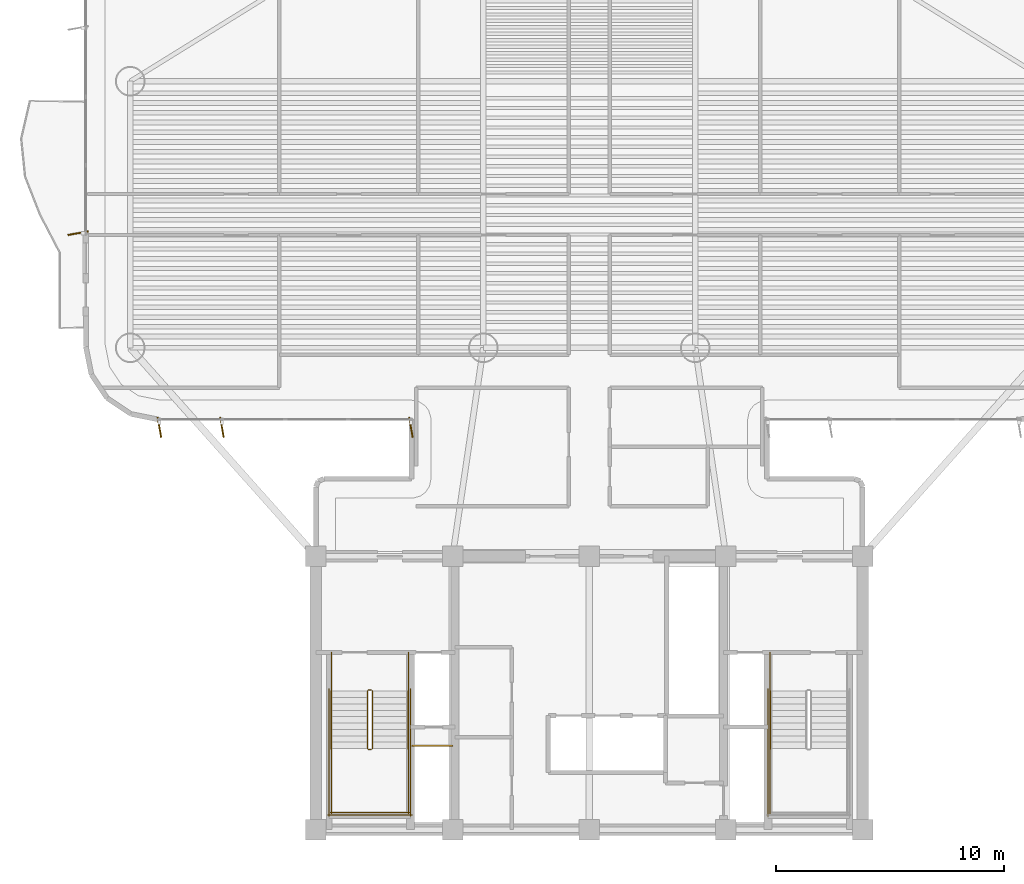
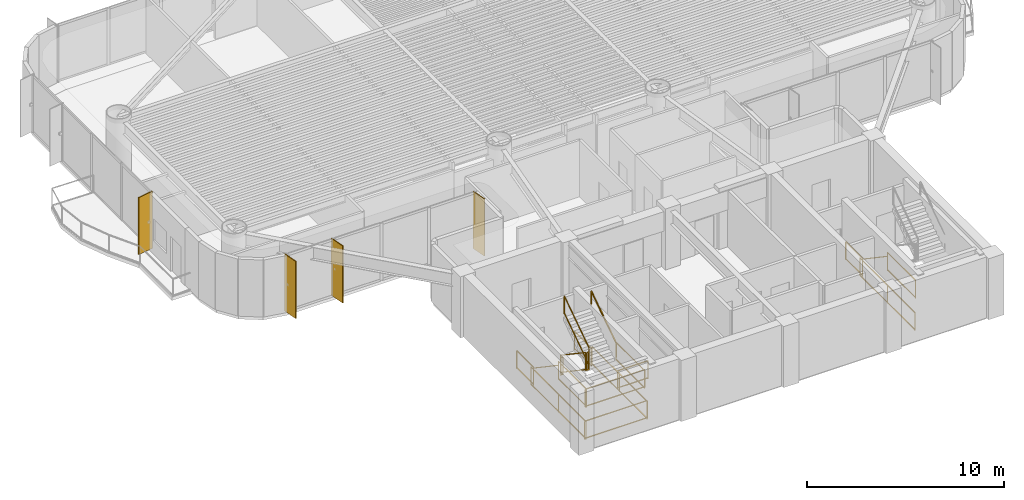
# One storey, part 13 of 16: 19 railings, 4 shading devices.
"""IFC4 building model written with IfcOpenShell, lengths in metres."""

from ifc_helpers import new_model, si_unit, direction, frame, origin, origin_2d, place, context, subcontext, project, spatial, rectangle, extrude, source, transform, mapped, material, layer, layer_set, material_profile, profile_set, type_object, element, save


model = new_model("IFC4")

# Units and contexts
model_context = context("Model", 3, precision=1e-05, world=origin(), true_north=direction((0.0, 1.0)))
body_context = subcontext(model_context, "Body", "Model", "MODEL_VIEW")
ifc_project = project(units=[si_unit("LENGTHUNIT", "METRE"), si_unit("AREAUNIT", "SQUARE_METRE"), si_unit("VOLUMEUNIT", "CUBIC_METRE"), si_unit("PLANEANGLEUNIT", "RADIAN"), si_unit("MASSUNIT", "GRAM", prefix="KILO")], contexts=[model_context])

# Site, building, storey
site_placement = place(None, origin())
site = spatial("IfcSite", under=ifc_project, at=site_placement, CompositionType="ELEMENT")
building_placement = place(site_placement, origin())
building = spatial("IfcBuilding", under=site, at=building_placement, Name="Brelvock Crest Care Tower", CompositionType="ELEMENT")
storey_placement = place(building_placement, frame((0.0, 0.0, 112.5)))
storey = spatial("IfcBuildingStorey", under=building, at=storey_placement, Name="L28", CompositionType="ELEMENT", Elevation=112.5)

# Railings
ifc_material_1 = material(Name="Steel Grade 350", Category="steel")
ifc_layer_1 = layer(ifc_material_1, 0.050048828125, Name="RL-STG1")
ifc_layer_set_1 = layer_set([ifc_layer_1], Name="Steel Grade 350")
railing_type_1 = type_object("IfcRailingType", Name="RL-STG1", PredefinedType="GUARDRAIL", material=ifc_layer_set_1)
railing_1_placement = place(storey_placement, frame((26.260009765625, 12.080078125, 0.18896484375)))
element("IfcRailing", 1, at=railing_1_placement, inside=storey, type_object=railing_type_1, Name="L28 ST-1 stair guard 1", PredefinedType="GUARDRAIL", context=body_context, shape_type="SweptSolid", body=[
    extrude(rectangle(XDim=0.048095703125, YDim=0.048095703125, at=origin_2d()), frame((0.0, -0.001708984375, 1.116943359375), z_axis=(0.0, -0.828861706735, 0.559453546873), x_axis=(1.0, 0.0, 0.0)), (0.0, 0.0, 1.0), 3.036376953125),
    extrude(rectangle(XDim=0.048095703125, YDim=0.048095703125, at=origin_2d()), frame((0.0, -0.001708984375, 0.05615234375), z_axis=(0.0, -0.828861706735, 0.559453546873), x_axis=(1.0, 0.0, 0.0)), (0.0, 0.0, 1.0), 3.036376953125),
    extrude(rectangle(XDim=0.0419921875, YDim=0.0419921875, at=origin_2d()), origin(), (0.0, 0.0, 1.0), 1.08984375),
    extrude(rectangle(XDim=0.0419921875, YDim=0.0419921875, at=origin_2d()), frame((0.0, -2.52001953125, 1.700927734375)), (0.0, 0.0, 1.0), 1.08984375),
])
railing_2_placement = place(storey_placement, frame((26.31005859375, 9.510009765625, 1.889892578125)))
element("IfcRailing", 2, at=railing_2_placement, inside=storey, type_object=railing_type_1, Name="L28 ST-1 stair guard 2", PredefinedType="GUARDRAIL", context=body_context, shape_type="SweptSolid", body=[
    extrude(rectangle(XDim=0.048095703125, YDim=0.048095703125, at=origin_2d()), frame((0.001953125, 0.0, 1.11572265625), z_axis=(1.0, 0.0, 0.0), x_axis=(0.0, 1.0, 0.0)), (0.0, 0.0, 1.0), 0.115966796875),
    extrude(rectangle(XDim=0.048095703125, YDim=0.048095703125, at=origin_2d()), frame((0.001953125, 0.0, 0.054931640625), z_axis=(1.0, 0.0, 0.0), x_axis=(0.0, 1.0, 0.0)), (0.0, 0.0, 1.0), 0.115966796875),
    extrude(rectangle(XDim=0.0419921875, YDim=0.0419921875, at=origin_2d()), origin(), (0.0, 0.0, 1.0), 1.08984375),
    extrude(rectangle(XDim=0.0419921875, YDim=0.0419921875, at=origin_2d()), frame((0.119873046875, 0.0, 0.0)), (0.0, 0.0, 1.0), 1.08984375),
])
for number, where, name in (
    (3, (24.679931640625, 9.56005859375, 1.889892578125), "L28 ST-1 stair guard 3"),
    (4, (28.06005859375, 9.56005859375, 1.889892578125), "L28 ST-1 stair guard 4"),
):
    element("IfcRailing", number, at=place(storey_placement, frame(where)), inside=storey, type_object=railing_type_1, Name=name, PredefinedType="GUARDRAIL", context=body_context, shape_type="SweptSolid", body=[
        extrude(rectangle(XDim=0.048095703125, YDim=0.048095703125, at=origin_2d()), frame((0.0, -0.001953125, 1.11572265625), z_axis=(0.0, -1.0, 0.0), x_axis=(1.0, 0.0, 0.0)), (0.0, 0.0, 1.0), 2.856201171875),
        extrude(rectangle(XDim=0.048095703125, YDim=0.048095703125, at=origin_2d()), frame((0.0, -0.001953125, 0.054931640625), z_axis=(0.0, -1.0, 0.0), x_axis=(1.0, 0.0, 0.0)), (0.0, 0.0, 1.0), 2.856201171875),
        extrude(rectangle(XDim=0.0419921875, YDim=0.0419921875, at=origin_2d()), origin(), (0.0, 0.0, 1.0), 1.08984375),
        extrude(rectangle(XDim=0.0419921875, YDim=0.0419921875, at=origin_2d()), frame((0.0, -2.860107421875, 0.0)), (0.0, 0.0, 1.0), 1.08984375),
    ])
railing_3_placement = place(storey_placement, frame((24.6298828125, 6.75, 1.889892578125)))
element("IfcRailing", 5, at=railing_3_placement, inside=storey, type_object=railing_type_1, Name="L28 ST-1 stair guard 5", PredefinedType="GUARDRAIL", context=body_context, shape_type="SweptSolid", body=[
    extrude(rectangle(XDim=0.048095703125, YDim=0.048095703125, at=origin_2d()), frame((0.001953125, 0.0, 1.11572265625), z_axis=(1.0, 0.0, 0.0), x_axis=(0.0, 1.0, 0.0)), (0.0, 0.0, 1.0), 3.476318359375),
    extrude(rectangle(XDim=0.048095703125, YDim=0.048095703125, at=origin_2d()), frame((0.001953125, 0.0, 0.054931640625), z_axis=(1.0, 0.0, 0.0), x_axis=(0.0, 1.0, 0.0)), (0.0, 0.0, 1.0), 3.476318359375),
    extrude(rectangle(XDim=0.0419921875, YDim=0.0419921875, at=origin_2d()), origin(), (0.0, 0.0, 1.0), 1.08984375),
    extrude(rectangle(XDim=0.0419921875, YDim=0.0419921875, at=origin_2d()), frame((3.480224609375, 0.0, 0.0)), (0.0, 0.0, 1.0), 1.08984375),
])
railing_4_placement = place(storey_placement, frame((26.47998046875, 9.56005859375, 2.0791015625)))
element("IfcRailing", 6, at=railing_4_placement, inside=storey, type_object=railing_type_1, Name="L28 ST-1 stair guard 6", PredefinedType="GUARDRAIL", context=body_context, shape_type="SweptSolid", body=[
    extrude(rectangle(XDim=0.048095703125, YDim=0.048095703125, at=origin_2d()), frame((0.0, 0.001708984375, 1.116943359375), z_axis=(0.0, 0.828861706735, 0.559453546873), x_axis=(-1.0, 0.0, 0.0)), (0.0, 0.0, 1.0), 3.036376953125),
    extrude(rectangle(XDim=0.048095703125, YDim=0.048095703125, at=origin_2d()), frame((0.0, 0.001708984375, 0.05615234375), z_axis=(0.0, 0.828861706735, 0.559453546873), x_axis=(-1.0, 0.0, 0.0)), (0.0, 0.0, 1.0), 3.036376953125),
    extrude(rectangle(XDim=0.0419921875, YDim=0.0419921875, at=origin_2d()), origin(), (0.0, 0.0, 1.0), 1.08984375),
    extrude(rectangle(XDim=0.0419921875, YDim=0.0419921875, at=origin_2d()), frame((0.0, 2.52001953125, 1.700927734375)), (0.0, 0.0, 1.0), 1.08984375),
])
railing_5_placement = place(storey_placement, frame((26.31005859375, 12.1298828125, 0.0)))
element("IfcRailing", 7, at=railing_5_placement, inside=storey, type_object=railing_type_1, Name="L28 ST-1 stair guard 7", PredefinedType="GUARDRAIL", context=body_context, shape_type="SweptSolid", body=[
    extrude(rectangle(XDim=0.048095703125, YDim=0.048095703125, at=origin_2d()), frame((0.001953125, 0.0, 1.11572265625), z_axis=(1.0, 0.0, 0.0), x_axis=(0.0, 1.0, 0.0)), (0.0, 0.0, 1.0), 0.115966796875),
    extrude(rectangle(XDim=0.048095703125, YDim=0.048095703125, at=origin_2d()), frame((0.001953125, 0.0, 0.054931640625), z_axis=(1.0, 0.0, 0.0), x_axis=(0.0, 1.0, 0.0)), (0.0, 0.0, 1.0), 0.115966796875),
    extrude(rectangle(XDim=0.0419921875, YDim=0.0419921875, at=origin_2d()), origin(), (0.0, 0.0, 1.0), 1.08984375),
    extrude(rectangle(XDim=0.0419921875, YDim=0.0419921875, at=origin_2d()), frame((0.119873046875, 0.0, 0.0)), (0.0, 0.0, 1.0), 1.08984375),
])
for number, where, name in (
    (8, (24.679931640625, 13.780029296875, 0.0), "L28 ST-1 stair guard 8"),
    (9, (28.06005859375, 13.780029296875, 0.0), "L28 ST-1 stair guard 9"),
):
    element("IfcRailing", number, at=place(storey_placement, frame(where)), inside=storey, type_object=railing_type_1, Name=name, PredefinedType="GUARDRAIL", context=body_context, shape_type="SweptSolid", body=[
        extrude(rectangle(XDim=0.048095703125, YDim=0.048095703125, at=origin_2d()), frame((0.0, -0.001953125, 1.11572265625), z_axis=(0.0, -1.0, 0.0), x_axis=(1.0, 0.0, 0.0)), (0.0, 0.0, 1.0), 1.696044921875),
        extrude(rectangle(XDim=0.048095703125, YDim=0.048095703125, at=origin_2d()), frame((0.0, -0.001953125, 0.054931640625), z_axis=(0.0, -1.0, 0.0), x_axis=(1.0, 0.0, 0.0)), (0.0, 0.0, 1.0), 1.696044921875),
        extrude(rectangle(XDim=0.0419921875, YDim=0.0419921875, at=origin_2d()), origin(), (0.0, 0.0, 1.0), 1.08984375),
        extrude(rectangle(XDim=0.0419921875, YDim=0.0419921875, at=origin_2d()), frame((0.0, -1.699951171875, 0.0)), (0.0, 0.0, 1.0), 1.08984375),
    ])
for number, where, name in (
    (10, (24.580078125, 12.179931640625, 0.0), "L28 ST-1 stair guard 10"),
    (11, (28.159912109375, 12.179931640625, 0.0), "L28 ST-1 stair guard 11"),
):
    element("IfcRailing", number, at=place(storey_placement, frame(where)), inside=storey, type_object=railing_type_1, Name=name, PredefinedType="GUARDRAIL", context=body_context, shape_type="SweptSolid", body=[
        extrude(rectangle(XDim=0.048095703125, YDim=0.048095703125, at=origin_2d()), frame((0.0, -0.001953125, 1.11572265625), z_axis=(0.0, -1.0, 0.0), x_axis=(1.0, 0.0, 0.0)), (0.0, 0.0, 1.0), 5.575927734375),
        extrude(rectangle(XDim=0.048095703125, YDim=0.048095703125, at=origin_2d()), frame((0.0, -0.001953125, 0.054931640625), z_axis=(0.0, -1.0, 0.0), x_axis=(1.0, 0.0, 0.0)), (0.0, 0.0, 1.0), 5.575927734375),
        extrude(rectangle(XDim=0.0419921875, YDim=0.0419921875, at=origin_2d()), origin(), (0.0, 0.0, 1.0), 1.08984375),
        extrude(rectangle(XDim=0.0419921875, YDim=0.0419921875, at=origin_2d()), frame((0.0, -2.7900390625, 0.0)), (0.0, 0.0, 1.0), 1.08984375),
        extrude(rectangle(XDim=0.0419921875, YDim=0.0419921875, at=origin_2d()), frame((0.0, -5.579833984375, 0.0)), (0.0, 0.0, 1.0), 1.08984375),
    ])
railing_6_placement = place(storey_placement, frame((24.530029296875, 6.64990234375, 0.0)))
element("IfcRailing", 12, at=railing_6_placement, inside=storey, type_object=railing_type_1, Name="L28 ST-1 stair guard 12", PredefinedType="GUARDRAIL", context=body_context, shape_type="SweptSolid", body=[
    extrude(rectangle(XDim=0.048095703125, YDim=0.048095703125, at=origin_2d()), frame((0.001953125, 0.0, 1.11572265625), z_axis=(1.0, 0.0, 0.0), x_axis=(0.0, 1.0, 0.0)), (0.0, 0.0, 1.0), 3.676025390625),
    extrude(rectangle(XDim=0.048095703125, YDim=0.048095703125, at=origin_2d()), frame((0.001953125, 0.0, 0.054931640625), z_axis=(1.0, 0.0, 0.0), x_axis=(0.0, 1.0, 0.0)), (0.0, 0.0, 1.0), 3.676025390625),
    extrude(rectangle(XDim=0.0419921875, YDim=0.0419921875, at=origin_2d()), origin(), (0.0, 0.0, 1.0), 1.08984375),
    extrude(rectangle(XDim=0.0419921875, YDim=0.0419921875, at=origin_2d()), frame((3.679931640625, 0.0, 0.0)), (0.0, 0.0, 1.0), 1.08984375),
])
railing_7_placement = place(storey_placement, frame((43.93994140625, 9.56005859375, 1.889892578125)))
element("IfcRailing", 13, at=railing_7_placement, inside=storey, type_object=railing_type_1, Name="L28 ST-2 stair guard 3", PredefinedType="GUARDRAIL", context=body_context, shape_type="SweptSolid", body=[
    extrude(rectangle(XDim=0.048095703125, YDim=0.048095703125, at=origin_2d()), frame((0.0, -0.001953125, 1.11572265625), z_axis=(0.0, -1.0, 0.0), x_axis=(1.0, 0.0, 0.0)), (0.0, 0.0, 1.0), 2.856201171875),
    extrude(rectangle(XDim=0.048095703125, YDim=0.048095703125, at=origin_2d()), frame((0.0, -0.001953125, 0.054931640625), z_axis=(0.0, -1.0, 0.0), x_axis=(1.0, 0.0, 0.0)), (0.0, 0.0, 1.0), 2.856201171875),
    extrude(rectangle(XDim=0.0419921875, YDim=0.0419921875, at=origin_2d()), origin(), (0.0, 0.0, 1.0), 1.08984375),
    extrude(rectangle(XDim=0.0419921875, YDim=0.0419921875, at=origin_2d()), frame((0.0, -2.860107421875, 0.0)), (0.0, 0.0, 1.0), 1.08984375),
])
railing_8_placement = place(storey_placement, frame((43.93994140625, 13.780029296875, 0.0)))
element("IfcRailing", 14, at=railing_8_placement, inside=storey, type_object=railing_type_1, Name="L28 ST-2 stair guard 8", PredefinedType="GUARDRAIL", context=body_context, shape_type="SweptSolid", body=[
    extrude(rectangle(XDim=0.048095703125, YDim=0.048095703125, at=origin_2d()), frame((0.0, -0.001953125, 1.11572265625), z_axis=(0.0, -1.0, 0.0), x_axis=(1.0, 0.0, 0.0)), (0.0, 0.0, 1.0), 1.696044921875),
    extrude(rectangle(XDim=0.048095703125, YDim=0.048095703125, at=origin_2d()), frame((0.0, -0.001953125, 0.054931640625), z_axis=(0.0, -1.0, 0.0), x_axis=(1.0, 0.0, 0.0)), (0.0, 0.0, 1.0), 1.696044921875),
    extrude(rectangle(XDim=0.0419921875, YDim=0.0419921875, at=origin_2d()), origin(), (0.0, 0.0, 1.0), 1.08984375),
    extrude(rectangle(XDim=0.0419921875, YDim=0.0419921875, at=origin_2d()), frame((0.0, -1.699951171875, 0.0)), (0.0, 0.0, 1.0), 1.08984375),
])
railing_9_placement = place(storey_placement, frame((43.840087890625, 12.179931640625, 0.0)))
element("IfcRailing", 15, at=railing_9_placement, inside=storey, type_object=railing_type_1, Name="L28 ST-2 stair guard 10", PredefinedType="GUARDRAIL", context=body_context, shape_type="SweptSolid", body=[
    extrude(rectangle(XDim=0.048095703125, YDim=0.048095703125, at=origin_2d()), frame((0.0, -0.001953125, 1.11572265625), z_axis=(0.0, -1.0, 0.0), x_axis=(1.0, 0.0, 0.0)), (0.0, 0.0, 1.0), 5.575927734375),
    extrude(rectangle(XDim=0.048095703125, YDim=0.048095703125, at=origin_2d()), frame((0.0, -0.001953125, 0.054931640625), z_axis=(0.0, -1.0, 0.0), x_axis=(1.0, 0.0, 0.0)), (0.0, 0.0, 1.0), 5.575927734375),
    extrude(rectangle(XDim=0.0419921875, YDim=0.0419921875, at=origin_2d()), origin(), (0.0, 0.0, 1.0), 1.08984375),
    extrude(rectangle(XDim=0.0419921875, YDim=0.0419921875, at=origin_2d()), frame((0.0, -2.7900390625, 0.0)), (0.0, 0.0, 1.0), 1.08984375),
    extrude(rectangle(XDim=0.0419921875, YDim=0.0419921875, at=origin_2d()), frame((0.0, -5.579833984375, 0.0)), (0.0, 0.0, 1.0), 1.08984375),
])
railing_10_placement = place(storey_placement, frame((28.219970703125, 9.679931640625, 0.0)))
element("IfcRailing", 16, at=railing_10_placement, inside=storey, type_object=railing_type_1, Name="L28 Fire Riser Threshold Guard", PredefinedType="GUARDRAIL", context=body_context, shape_type="SweptSolid", body=[
    extrude(rectangle(XDim=0.048095703125, YDim=0.048095703125, at=origin_2d()), frame((0.001953125, 0.0, 1.11572265625), z_axis=(1.0, 0.0, 0.0), x_axis=(0.0, 1.0, 0.0)), (0.0, 0.0, 1.0), 1.776123046875),
    extrude(rectangle(XDim=0.048095703125, YDim=0.048095703125, at=origin_2d()), frame((0.001953125, 0.0, 0.054931640625), z_axis=(1.0, 0.0, 0.0), x_axis=(0.0, 1.0, 0.0)), (0.0, 0.0, 1.0), 1.776123046875),
    extrude(rectangle(XDim=0.0419921875, YDim=0.0419921875, at=origin_2d()), origin(), (0.0, 0.0, 1.0), 1.08984375),
    extrude(rectangle(XDim=0.0419921875, YDim=0.0419921875, at=origin_2d()), frame((1.780029296875, 0.0, 0.0)), (0.0, 0.0, 1.0), 1.08984375),
])
ifc_layer_2 = layer(ifc_material_1, 0.048095703125, Name="RL-STH1")
ifc_layer_set_2 = layer_set([ifc_layer_2], Name="Steel Grade 350")
railing_type_2 = type_object("IfcRailingType", Name="RL-STH1", PredefinedType="HANDRAIL", material=ifc_layer_set_2)
railing_11_placement = place(storey_placement, frame((24.679931640625, 12.080078125, 0.18896484375)))
element("IfcRailing", 17, at=railing_11_placement, inside=storey, type_object=railing_type_2, Name="L28 ST-1 stair handrail 1", PredefinedType="HANDRAIL", context=body_context, shape_type="SweptSolid", body=[
    extrude(rectangle(XDim=0.048095703125, YDim=0.048095703125, at=origin_2d()), frame((0.0, -0.001708984375, 0.876953125), z_axis=(0.0, -0.828861706735, 0.559453546873), x_axis=(1.0, 0.0, 0.0)), (0.0, 0.0, 1.0), 3.036376953125),
    extrude(rectangle(XDim=0.0419921875, YDim=0.0419921875, at=origin_2d()), origin(), (0.0, 0.0, 1.0), 0.849853515625),
    extrude(rectangle(XDim=0.0419921875, YDim=0.0419921875, at=origin_2d()), frame((0.0, -2.52001953125, 1.700927734375)), (0.0, 0.0, 1.0), 0.849853515625),
])
railing_12_placement = place(storey_placement, frame((28.06005859375, 9.56005859375, 2.0791015625)))
element("IfcRailing", 18, at=railing_12_placement, inside=storey, type_object=railing_type_2, Name="L28 ST-1 stair handrail 2", PredefinedType="HANDRAIL", context=body_context, shape_type="SweptSolid", body=[
    extrude(rectangle(XDim=0.048095703125, YDim=0.048095703125, at=origin_2d()), frame((0.0, 0.001708984375, 0.876953125), z_axis=(0.0, 0.828861706735, 0.559453546873), x_axis=(-1.0, 0.0, 0.0)), (0.0, 0.0, 1.0), 3.036376953125),
    extrude(rectangle(XDim=0.0419921875, YDim=0.0419921875, at=origin_2d()), origin(), (0.0, 0.0, 1.0), 0.849853515625),
    extrude(rectangle(XDim=0.0419921875, YDim=0.0419921875, at=origin_2d()), frame((0.0, 2.52001953125, 1.700927734375)), (0.0, 0.0, 1.0), 0.849853515625),
])
railing_13_placement = place(storey_placement, frame((43.93994140625, 12.080078125, 0.18896484375)))
element("IfcRailing", 19, at=railing_13_placement, inside=storey, type_object=railing_type_2, Name="L28 ST-2 stair handrail 1", PredefinedType="HANDRAIL", context=body_context, shape_type="SweptSolid", body=[
    extrude(rectangle(XDim=0.048095703125, YDim=0.048095703125, at=origin_2d()), frame((0.0, -0.001708984375, 0.876953125), z_axis=(0.0, -0.828861706735, 0.559453546873), x_axis=(1.0, 0.0, 0.0)), (0.0, 0.0, 1.0), 3.036376953125),
    extrude(rectangle(XDim=0.0419921875, YDim=0.0419921875, at=origin_2d()), origin(), (0.0, 0.0, 1.0), 0.849853515625),
    extrude(rectangle(XDim=0.0419921875, YDim=0.0419921875, at=origin_2d()), frame((0.0, -2.52001953125, 1.700927734375)), (0.0, 0.0, 1.0), 0.849853515625),
])

# Shading devices
ifc_material_2 = material(Name="Aluminium 6063-T6", Category="aluminium")
ifc_material_profile = material_profile(ifc_material_2, rectangle(XDim=0.054931640625, YDim=0.89990234375, at=origin_2d()), Name="FIN55x900")
ifc_profile_set = profile_set([ifc_material_profile], Name="Aluminium 6063-T6")
shading_device_type = type_object("IfcShadingDeviceType", Name="SHD-FIN1", PredefinedType="USERDEFINED", material=ifc_profile_set)
shared_shape = source(origin(), body_context, "Body", "SweptSolid", [
    extrude(rectangle(XDim=0.054931640625, YDim=0.89990234375, at=origin_2d()), origin(), (0.0, 0.0, 1.0), 3.530029296875),
])
for number, where, z_axis, x_axis, name in (
    (20, (28.169921875, 23.659912109375, 0.0), (0.0, 0.0, 1.0), (-0.984807753012, -0.173648177667, 0.0), "L28 Vertical Sunshade Fin E12-01"),
    (21, (19.875, 23.659912109375, 0.0), (0.0, 0.0, 1.0), (-0.984807753012, -0.173648177667, 0.0), "L28 Vertical Sunshade Fin E12-04"),
    (22, (17.1298828125, 23.659912109375, 0.0), (0.0, 0.0, 1.0), (-0.984807753012, -0.173648177667, 0.0), "L28 Vertical Sunshade Fin E12-05"),
    (23, (13.56005859375, 32.179931640625, 0.0), (0.0, 0.0, 1.0), (-0.173648177667, 0.984807753012, 0.0), "L28 Vertical Sunshade Fin E17B-01"),
):
    element("IfcShadingDevice", number, at=place(storey_placement, frame(where, z_axis=z_axis, x_axis=x_axis)), inside=storey, type_object=shading_device_type, Name=name, ObjectType="FIN", PredefinedType="USERDEFINED", context=body_context, shape_type="MappedRepresentation", body=[
        mapped(shared_shape, transform((0.0, 0.0, 0.0), x_axis=(1.0, 0.0, 0.0), y_axis=(0.0, 1.0, 0.0), z_axis=(0.0, 0.0, 1.0), scale=1.0)),
    ])

save(model, "model.ifc")
